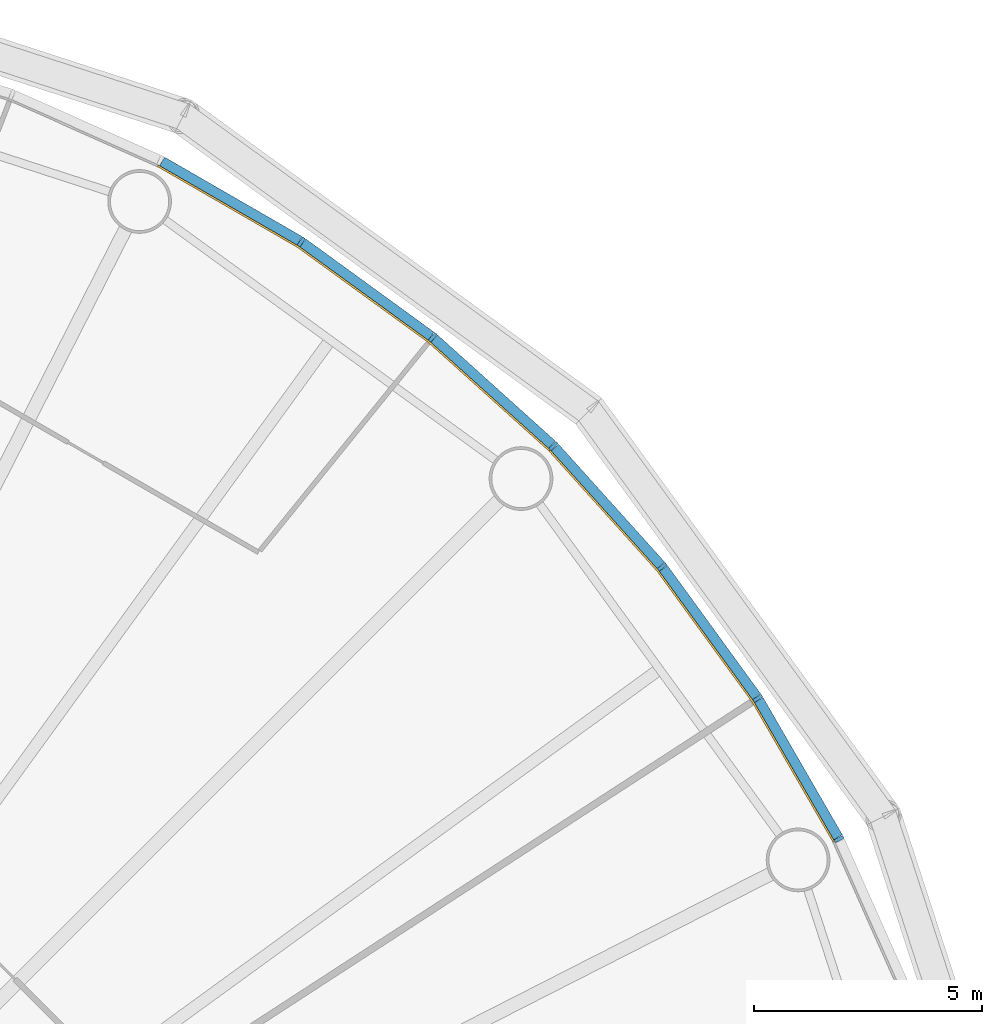
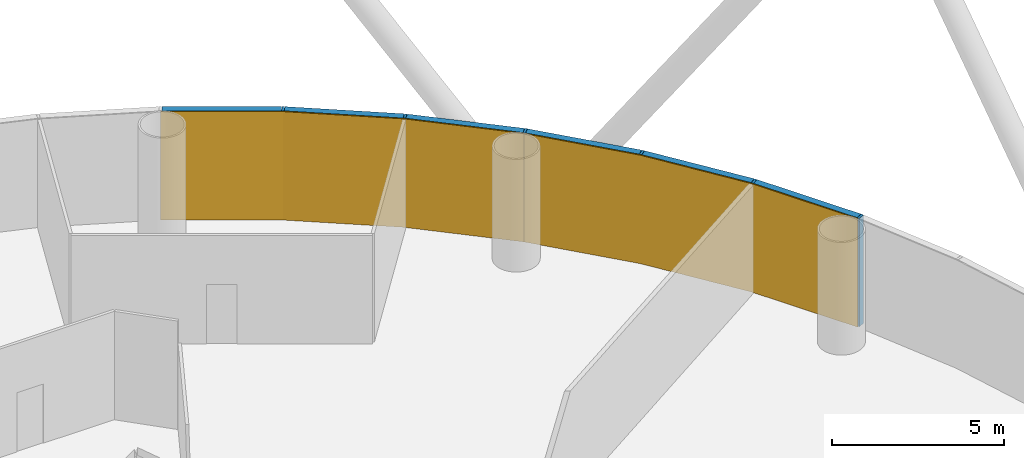
# One storey, part 10 of 13: 12 members, 2 curtain walls.
"""IFC4 building model written with IfcOpenShell, lengths in metres."""

from ifc_helpers import new_model, si_unit, direction, frame, origin, origin_2d, place, context, subcontext, project, spatial, polyline, rectangle, outline, extrude, material, layer, layer_set, material_profile, profile_set, type_object, element, aggregate, save


model = new_model("IFC4")

# Units and contexts
model_context = context("Model", 3, precision=1e-05, world=origin(), true_north=direction((0.0, 1.0)))
body_context = subcontext(model_context, "Body", "Model", "MODEL_VIEW")
ifc_project = project(units=[si_unit("LENGTHUNIT", "METRE"), si_unit("AREAUNIT", "SQUARE_METRE"), si_unit("VOLUMEUNIT", "CUBIC_METRE"), si_unit("PLANEANGLEUNIT", "RADIAN"), si_unit("MASSUNIT", "GRAM", prefix="KILO")], contexts=[model_context])

# Member
ifc_material_1 = material(Name="Anodised aluminium", Category="aluminium")
ifc_material_profile_1 = material_profile(ifc_material_1, rectangle(XDim=0.074951171875, YDim=0.219970703125, at=origin_2d()), Name="Mullion 75 x 220 mm anodised aluminium")
ifc_profile_set_1 = profile_set([ifc_material_profile_1], Name="Anodised aluminium")
member_type_1 = type_object("IfcMemberType", Name="Mullion 75 x 220 mm anodised aluminium", PredefinedType="MULLION", material=ifc_profile_set_1)
site_placement = place(None, origin())
building_placement = place(site_placement, origin())
storey_placement = place(building_placement, frame((0.0, 0.0, 38.0)))
member_1_placement = place(storey_placement, frame((120.392333984375, 95.485595703125, 0.0), z_axis=(0.0, 0.0, 1.0), x_axis=(-0.45399049974, 0.891006524188, 0.0)))
member_1 = element("IfcMember", 1, at=member_1_placement, type_object=member_type_1, Name="MULLION L07-03", PredefinedType="MULLION", context=body_context, shape_type="SweptSolid", body=[
    extrude(rectangle(XDim=0.074951171875, YDim=0.219970703125, at=origin_2d()), origin(), (0.0, 0.0, 1.0), 3.85009765625),
])

member_2_placement = place(storey_placement, frame((118.60693359375, 98.57763671875, 0.0), z_axis=(0.0, 0.0, 1.0), x_axis=(-0.544639035015, 0.838670567945, 0.0)))
member_2 = element("IfcMember", 2, at=member_2_placement, type_object=member_type_1, Name="MULLION L07-04", PredefinedType="MULLION", context=body_context, shape_type="SweptSolid", body=[
    extrude(rectangle(XDim=0.074951171875, YDim=0.219970703125, at=origin_2d()), origin(), (0.0, 0.0, 1.0), 3.85009765625),
])

member_3_placement = place(storey_placement, frame((116.508544921875, 101.466064453125, 0.0), z_axis=(0.0, 0.0, 1.0), x_axis=(-0.62932039105, 0.777145961457, 0.0)))
member_3 = element("IfcMember", 3, at=member_3_placement, type_object=member_type_1, Name="MULLION L07-05", PredefinedType="MULLION", context=body_context, shape_type="SweptSolid", body=[
    extrude(rectangle(XDim=0.074951171875, YDim=0.219970703125, at=origin_2d()), origin(), (0.0, 0.0, 1.0), 3.85009765625),
])

member_4_placement = place(storey_placement, frame((114.119384765625, 104.119384765625, 0.0), z_axis=(0.0, 0.0, 1.0), x_axis=(-0.707106781187, 0.707106781187, 0.0)))
member_4 = element("IfcMember", 4, at=member_4_placement, type_object=member_type_1, Name="MULLION L07-06", PredefinedType="MULLION", context=body_context, shape_type="SweptSolid", body=[
    extrude(rectangle(XDim=0.074951171875, YDim=0.219970703125, at=origin_2d()), origin(), (0.0, 0.0, 1.0), 3.85009765625),
])

member_5_placement = place(storey_placement, frame((111.466064453125, 106.508544921875, 0.0), z_axis=(0.0, 0.0, 1.0), x_axis=(-0.777145961457, 0.62932039105, 0.0)))
member_5 = element("IfcMember", 5, at=member_5_placement, type_object=member_type_1, Name="MULLION L07-07", PredefinedType="MULLION", context=body_context, shape_type="SweptSolid", body=[
    extrude(rectangle(XDim=0.074951171875, YDim=0.219970703125, at=origin_2d()), origin(), (0.0, 0.0, 1.0), 3.85009765625),
])

member_6_placement = place(storey_placement, frame((108.57763671875, 108.60693359375, 0.0), z_axis=(0.0, 0.0, 1.0), x_axis=(-0.838670567945, 0.544639035015, 0.0)))
member_6 = element("IfcMember", 6, at=member_6_placement, type_object=member_type_1, Name="MULLION L07-08", PredefinedType="MULLION", context=body_context, shape_type="SweptSolid", body=[
    extrude(rectangle(XDim=0.074951171875, YDim=0.219970703125, at=origin_2d()), origin(), (0.0, 0.0, 1.0), 3.85009765625),
])

ifc_material_2 = material(Name="Anodised aluminium", Category="aluminium")
ifc_material_profile_2 = material_profile(ifc_material_2, rectangle(XDim=0.219970703125, YDim=0.199951171875, at=origin_2d()), Name="Transom 200 x 220 mm anodised aluminium")
ifc_profile_set_2 = profile_set([ifc_material_profile_2], Name="Anodised aluminium")
member_type_2 = type_object("IfcMemberType", Name="Transom 200 x 220 mm anodised aluminium", PredefinedType="USERDEFINED", material=ifc_profile_set_2)
member_7_placement = place(storey_placement, frame((120.370849609375, 95.523193359375, 3.75), z_axis=(-0.500005538244, 0.866022206254, 0.0), x_axis=(-0.866022206254, -0.500005538244, 0.0)))
member_7 = element("IfcMember", 7, at=member_7_placement, type_object=member_type_2, Name="TRANSOM L07-03", ObjectType="TRANSOM", PredefinedType="USERDEFINED", context=body_context, shape_type="SweptSolid", body=[
    extrude(rectangle(XDim=0.219970703125, YDim=0.199951171875, at=origin_2d()), origin(), (0.0, 0.0, 1.0), 3.48388671875),
])

member_8_placement = place(storey_placement, frame((118.581787109375, 98.61279296875, 3.75), z_axis=(-0.587821627006, 0.80899056535, 0.0), x_axis=(-0.80899056535, -0.587821627006, 0.0)))
member_8 = element("IfcMember", 8, at=member_8_placement, type_object=member_type_2, Name="TRANSOM L07-04", ObjectType="TRANSOM", PredefinedType="USERDEFINED", context=body_context, shape_type="SweptSolid", body=[
    extrude(rectangle(XDim=0.219970703125, YDim=0.199951171875, at=origin_2d()), origin(), (0.0, 0.0, 1.0), 3.48388671875),
])

member_9_placement = place(storey_placement, frame((116.479736328125, 101.498291015625, 3.75), z_axis=(-0.669138930974, 0.743137329876, 0.0), x_axis=(-0.743137329876, -0.669138930974, 0.0)))
member_9 = element("IfcMember", 9, at=member_9_placement, type_object=member_type_2, Name="TRANSOM L07-05", ObjectType="TRANSOM", PredefinedType="USERDEFINED", context=body_context, shape_type="SweptSolid", body=[
    extrude(rectangle(XDim=0.219970703125, YDim=0.199951171875, at=origin_2d()), origin(), (0.0, 0.0, 1.0), 3.484130859375),
])

member_10_placement = place(storey_placement, frame((114.08740234375, 104.1484375, 3.75), z_axis=(-0.743137329876, 0.669138930974, 0.0), x_axis=(-0.669138930974, -0.743137329876, 0.0)))
member_10 = element("IfcMember", 10, at=member_10_placement, type_object=member_type_2, Name="TRANSOM L07-06", ObjectType="TRANSOM", PredefinedType="USERDEFINED", context=body_context, shape_type="SweptSolid", body=[
    extrude(rectangle(XDim=0.219970703125, YDim=0.199951171875, at=origin_2d()), origin(), (0.0, 0.0, 1.0), 3.484130859375),
])

member_11_placement = place(storey_placement, frame((111.43115234375, 106.533935546875, 3.75), z_axis=(-0.80899056535, 0.587821627006, 0.0), x_axis=(-0.587821627006, -0.80899056535, 0.0)))
member_11 = element("IfcMember", 11, at=member_11_placement, type_object=member_type_2, Name="TRANSOM L07-07", ObjectType="TRANSOM", PredefinedType="USERDEFINED", context=body_context, shape_type="SweptSolid", body=[
    extrude(rectangle(XDim=0.219970703125, YDim=0.199951171875, at=origin_2d()), origin(), (0.0, 0.0, 1.0), 3.48388671875),
])

member_12_placement = place(storey_placement, frame((108.540283203125, 108.62890625, 3.75), z_axis=(-0.866022206254, 0.500005538244, 0.0), x_axis=(-0.500005538244, -0.866022206254, 0.0)))
member_12 = element("IfcMember", 12, at=member_12_placement, type_object=member_type_2, Name="TRANSOM L07-08", ObjectType="TRANSOM", PredefinedType="USERDEFINED", context=body_context, shape_type="SweptSolid", body=[
    extrude(rectangle(XDim=0.219970703125, YDim=0.199951171875, at=origin_2d()), origin(), (0.0, 0.0, 1.0), 3.48388671875),
])

# Site, building, storey
site = spatial("IfcSite", under=ifc_project, at=site_placement, CompositionType="ELEMENT")
building = spatial("IfcBuilding", under=site, at=building_placement, Name="Entoto Ring Tower", CompositionType="ELEMENT")
storey = spatial("IfcBuildingStorey", under=building, at=storey_placement, Name="L07", CompositionType="ELEMENT", Elevation=38.0)

# Curtain wall
ifc_material_3 = material(Name="Clear low-iron glass", Category="glass")
ifc_layer = layer(ifc_material_3, 0.0400390625)
ifc_layer_set = layer_set([ifc_layer], Name="Clear low-iron glass")
curtain_wall_type = type_object("IfcCurtainWallType", Name="Curtain wall system CW1 glazing 40 mm", PredefinedType="NOTDEFINED", material=ifc_layer_set)
curtain_wall_1_placement = place(storey_placement, origin())
curtain_wall_1 = element("IfcCurtainWall", 13, at=curtain_wall_1_placement, inside=storey, type_object=curtain_wall_type, Name="CW1 L07-02", PredefinedType="NOTDEFINED", context=body_context, shape_type="SweptSolid", body=[
    extrude(outline(polyline([(120.294189453125, 95.435791015625), (118.514892578125, 98.517822265625), (116.4228515625, 101.39697265625), (114.041748046875, 104.041748046875), (114.013427734375, 104.013427734375), (116.391845703125, 101.37158203125), (118.481201171875, 98.495849609375), (120.258544921875, 95.41748046875), (120.294189453125, 95.435791015625)])), origin(), (0.0, 0.0, 1.0), 3.85009765625),
])

aggregate(curtain_wall_1, [member_1, member_2, member_3, member_7, member_8, member_9])

curtain_wall_2_placement = place(storey_placement, origin())
curtain_wall_2 = element("IfcCurtainWall", 14, at=curtain_wall_2_placement, inside=storey, type_object=curtain_wall_type, Name="CW1 L07-03", PredefinedType="NOTDEFINED", context=body_context, shape_type="SweptSolid", body=[
    extrude(outline(polyline([(114.041748046875, 104.041748046875), (111.39697265625, 106.4228515625), (108.517822265625, 108.514892578125), (105.435791015625, 110.294189453125), (105.41748046875, 110.258544921875), (108.495849609375, 108.481201171875), (111.37158203125, 106.391845703125), (114.013427734375, 104.013427734375), (114.041748046875, 104.041748046875)])), origin(), (0.0, 0.0, 1.0), 3.85009765625),
])

aggregate(curtain_wall_2, [member_4, member_5, member_6, member_10, member_11, member_12])

save(model, "model.ifc")
